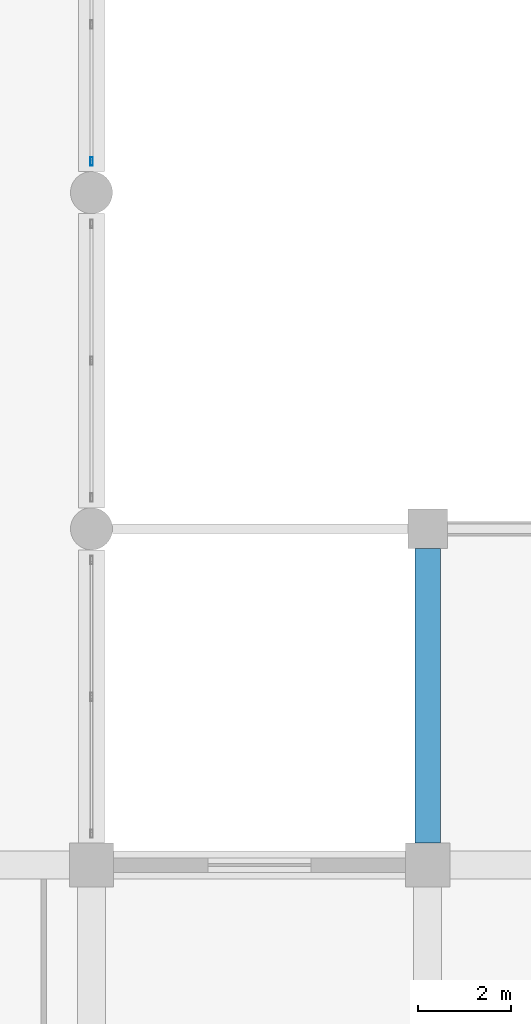
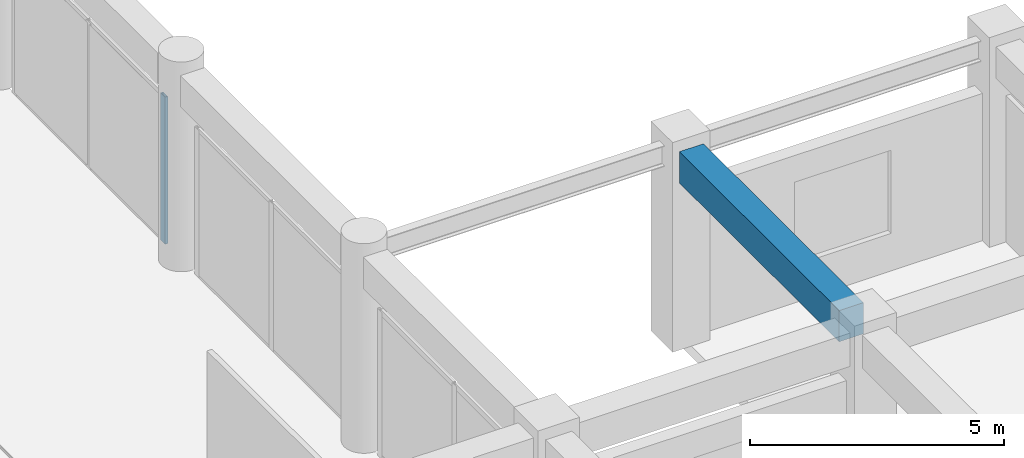
# One storey, part 21 of 54: 1 beam, 1 member, 1 element without a shape of its own.
"""IFC4 building model written with IfcOpenShell, lengths in metres."""

from ifc_helpers import new_model, si_unit, direction, frame, origin, origin_2d, place, context, subcontext, project, spatial, rectangle, hollow_rectangle, extrude, material, material_profile, profile_set, type_object, element, aggregate, save


model = new_model("IFC4")

# Units and contexts
model_context = context("Model", 3, precision=1e-05, world=origin(), true_north=direction((0.0, 1.0)))
body_context = subcontext(model_context, "Body", "Model", "MODEL_VIEW")
ifc_project = project(units=[si_unit("LENGTHUNIT", "METRE"), si_unit("AREAUNIT", "SQUARE_METRE"), si_unit("VOLUMEUNIT", "CUBIC_METRE"), si_unit("PLANEANGLEUNIT", "RADIAN"), si_unit("MASSUNIT", "GRAM", prefix="KILO")], contexts=[model_context])

# Site, building, storey
site_placement = place(None, origin())
site = spatial("IfcSite", under=ifc_project, at=site_placement, CompositionType="ELEMENT")
building_placement = place(site_placement, origin())
building = spatial("IfcBuilding", under=site, at=building_placement, Name="Kazehaya Institute of Natural Sciences", CompositionType="ELEMENT")
storey_placement = place(building_placement, frame((0.0, 0.0, 5.39990234375)))
storey = spatial("IfcBuildingStorey", under=building, at=storey_placement, Name="L01", CompositionType="ELEMENT", Elevation=5.39990234375)

# Beam
ifc_material_1 = material(Name="Concrete Fc36", Category="concrete")
ifc_material_profile_1 = material_profile(ifc_material_1, rectangle(XDim=0.550048828125, YDim=0.75, at=origin_2d()), Name="RC-550x750")
ifc_profile_set_1 = profile_set([ifc_material_profile_1], Name="Concrete Fc36")
beam_type = type_object("IfcBeamType", Name="BM-G-550x750", PredefinedType="BEAM", material=ifc_profile_set_1)
beam_placement = place(storey_placement, frame((119.39990234375, 36.074951171875, 4.39501953125), z_axis=(0.0, 1.0, 0.0), x_axis=(-1.0, 0.0, 0.0)))
element("IfcBeam", 1, at=beam_placement, inside=storey, type_object=beam_type, Name="L01 primary Y girder BMY-L01-1194-356", PredefinedType="BEAM", context=body_context, shape_type="SweptSolid", body=[
    extrude(rectangle(XDim=0.550048828125, YDim=0.75, at=origin_2d()), origin(), (0.0, 0.0, 1.0), 6.300048828125),
])

# Curtain wall, member
ifc_material_2 = material(Name="Aluminium alloy A6063S-T5", Category="aluminium")
curtain_wall_type = type_object("IfcCurtainWallType", Name="CW-SYS-02", PredefinedType="NOTDEFINED", material=ifc_material_2)
curtain_wall_placement = place(storey_placement, origin())
curtain_wall = element("IfcCurtainWall", 2, at=curtain_wall_placement, inside=storey, type_object=curtain_wall_type, Name="L01 unitised curtain wall CW-L01-020", PredefinedType="NOTDEFINED")
ifc_material_profile_2 = material_profile(ifc_material_2, hollow_rectangle(XDim=0.06005859375, YDim=0.179931640625, WallThickness=0.00390625, at=origin_2d()), Name="ALU-60x180x4")
ifc_profile_set_2 = profile_set([ifc_material_profile_2], Name="Aluminium alloy A6063S-T5")
member_type = type_object("IfcMemberType", Name="CWM-180", PredefinedType="MULLION", material=ifc_profile_set_2)
member_placement = place(storey_placement, frame((112.199951171875, 50.669921875, 0.0), z_axis=(0.0, 0.0, 1.0), x_axis=(1.0, 0.0, 0.0)))
member = element("IfcMember", 3, at=member_placement, type_object=member_type, Name="CW02 mullion 3", PredefinedType="MULLION", context=body_context, shape_type="SweptSolid", body=[
    extrude(hollow_rectangle(XDim=0.06005859375, YDim=0.179931640625, WallThickness=0.00390625, at=origin_2d()), origin(), (0.0, 0.0, 1.0), 3.5400390625),
])
aggregate(curtain_wall, [member])

save(model, "model.ifc")
